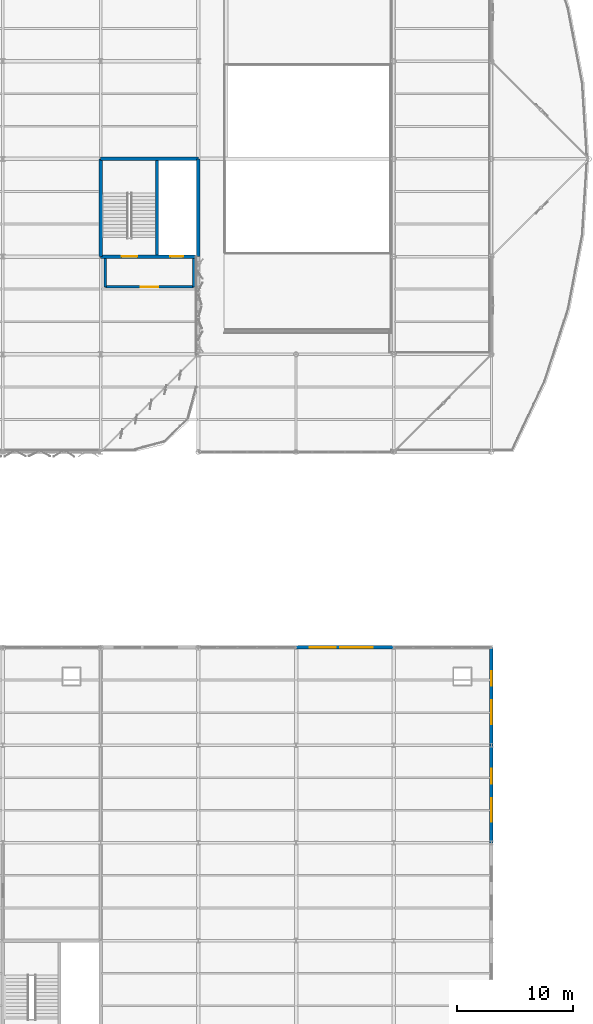
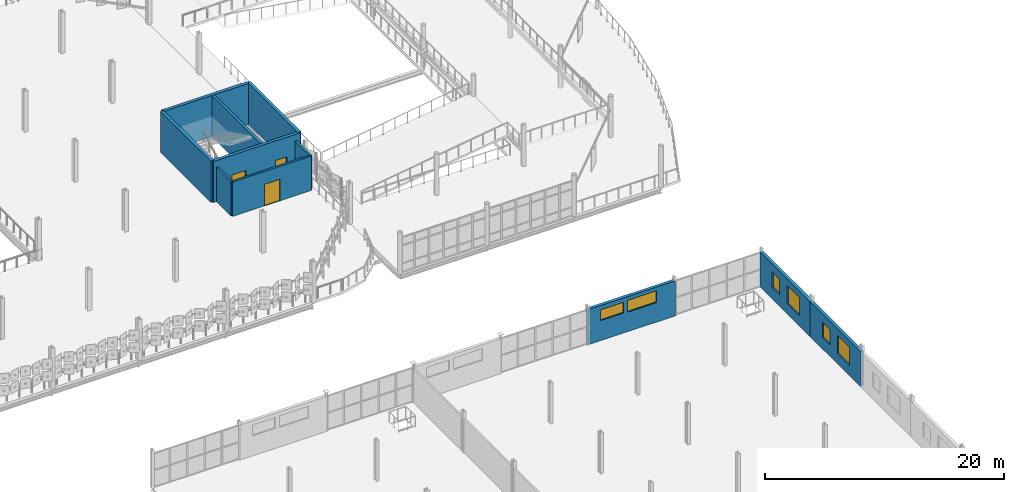
# One storey, part 137 of 163: 11 walls, 6 windows, 3 doors, 9 openings.
"""IFC4 building model written with IfcOpenShell, lengths in metres."""

from ifc_helpers import new_model, si_unit, direction, frame, frame_2d, origin, place, context, subcontext, project, spatial, rectangle, extrude, material, layer, layer_set, type_object, element, fill, save


model = new_model("IFC4")

# Units and contexts
model_context = context("Model", 3, precision=1e-05, world=origin(), true_north=direction((0.0, 1.0)))
body_context = subcontext(model_context, "Body", "Model", "MODEL_VIEW")
ifc_project = project(units=[si_unit("LENGTHUNIT", "METRE"), si_unit("AREAUNIT", "SQUARE_METRE"), si_unit("VOLUMEUNIT", "CUBIC_METRE"), si_unit("PLANEANGLEUNIT", "RADIAN"), si_unit("MASSUNIT", "GRAM", prefix="KILO")], contexts=[model_context])

# Site, building, storey
site_placement = place(None, origin())
site = spatial("IfcSite", under=ifc_project, at=site_placement, CompositionType="ELEMENT")
building_placement = place(site_placement, origin())
building = spatial("IfcBuilding", under=site, at=building_placement, Name="Qalvenar Corner Mobility Hub", CompositionType="ELEMENT")
storey_placement = place(building_placement, frame((0.0, 0.0, 4.800048828125)))
storey = spatial("IfcBuildingStorey", under=building, at=storey_placement, Name="L01", CompositionType="ELEMENT", Elevation=4.800048828125)

# Wall
ifc_material_1 = material(Name="Concrete C40/50", Category="concrete")
ifc_layer_1 = layer(ifc_material_1, 0.25)
ifc_layer_set_1 = layer_set([ifc_layer_1], Name="Concrete C40/50")
wall_type_1 = type_object("IfcWallType", Name="WL-CORE250", PredefinedType="SHEAR", material=ifc_layer_set_1)
wall_1_placement = place(storey_placement, frame((139.25, 84.14990234375, 0.0), z_axis=(0.0, 0.0, 1.0), x_axis=(0.0, 1.0, 0.0)))
element("IfcWall", 1, at=wall_1_placement, inside=storey, type_object=wall_type_1, Name="Core Divider Wall C4-L01", PredefinedType="SHEAR", context=body_context, shape_type="SweptSolid", body=[
    extrude(rectangle(XDim=8.10009765625, YDim=0.25, at=frame_2d((4.050048828125, 0.0))), origin(), (0.0, 0.0, 1.0), 4.199951171875),
])

# Wall, openings, doors
ifc_layer_2 = layer(ifc_material_1, 0.300048828125)
ifc_layer_set_2 = layer_set([ifc_layer_2], Name="Concrete C40/50")
wall_type_2 = type_object("IfcWallType", Name="WL-CORE300", PredefinedType="SHEAR", material=ifc_layer_set_2)
wall_2_placement = place(storey_placement, frame((134.39990234375, 84.0, 0.0), z_axis=(0.0, 0.0, 1.0), x_axis=(1.0, 0.0, 0.0)))
wall_2 = element("IfcWall", 2, at=wall_2_placement, inside=storey, type_object=wall_type_2, Name="Core Shear Wall C4-L01-S", PredefinedType="SHEAR", context=body_context, shape_type="SweptSolid", body=[
    extrude(rectangle(XDim=8.400146484375, YDim=0.300048828125, at=frame_2d((4.2001953125, 0.0))), origin(), (0.0, 0.0, 1.0), 4.199951171875),
])
opening_1_placement = place(wall_2_placement, frame((1.800048828125, 0.0, 0.0)))
opening_1 = element("IfcOpeningElement", 3, at=opening_1_placement, cuts=wall_2, Name="Opening DR-127", PredefinedType="OPENING", context=body_context, shape_type="SweptSolid", body=[
    extrude(rectangle(XDim=1.35009765625, YDim=2.199951171875, at=frame_2d((0.675048828125, 1.10009765625))), frame((0.0, 0.16015625, 0.0), z_axis=(0.0, -1.0, 0.0), x_axis=(1.0, 0.0, 0.0)), (0.0, 0.0, 1.0), 0.320068359375),
])
opening_2_placement = place(wall_2_placement, frame((6.0, 0.0, 0.0)))
opening_2 = element("IfcOpeningElement", 4, at=opening_2_placement, cuts=wall_2, Name="Opening DR-128", PredefinedType="OPENING", context=body_context, shape_type="SweptSolid", body=[
    extrude(rectangle(XDim=1.10009765625, YDim=2.199951171875, at=frame_2d((0.550048828125, 1.10009765625))), frame((0.0, 0.16015625, 0.0), z_axis=(0.0, -1.0, 0.0), x_axis=(1.0, 0.0, 0.0)), (0.0, 0.0, 1.0), 0.320068359375),
])
ifc_material_2 = material(Name="Stainless Steel Lift Landing Door", Category="steel")
door_type_1 = type_object("IfcDoorType", Name="DR-LIFT-110", OperationType="SLIDING_TO_LEFT", PredefinedType="DOOR", material=ifc_material_2)
door_1_placement = place(opening_2_placement, origin())
door_1 = element("IfcDoor", 5, at=door_1_placement, inside=storey, type_object=door_type_1, Name="DR-128 Lift Landing Door LP4-L01", OperationType="SLIDING_TO_LEFT", OverallHeight=2.199951171875, OverallWidth=1.10009765625, PredefinedType="DOOR", context=body_context, shape_type="SweptSolid", body=[
    extrude(rectangle(XDim=1.10009765625, YDim=2.199951171875, at=frame_2d((0.550048828125, 1.10009765625))), frame((0.0, 0.02490234375, 0.0), z_axis=(0.0, -1.0, 0.0), x_axis=(1.0, 0.0, 0.0)), (0.0, 0.0, 1.0), 0.050048828125),
])
fill(opening_2, door_1)
ifc_material_3 = material(Name="Fire-Rated Steel Stair Door FD90", Category="steel")
door_type_2 = type_object("IfcDoorType", Name="DR-STAIR-135", OperationType="NOTDEFINED", PredefinedType="DOOR", material=ifc_material_3)
door_2_placement = place(opening_1_placement, origin())
door_2 = element("IfcDoor", 6, at=door_2_placement, inside=storey, type_object=door_type_2, Name="DR-127 Stair Fire Door ST4-L01", OperationType="SINGLE_SWING_LEFT", OverallHeight=2.199951171875, OverallWidth=1.35009765625, PredefinedType="DOOR", context=body_context, shape_type="SweptSolid", body=[
    extrude(rectangle(XDim=1.35009765625, YDim=2.199951171875, at=frame_2d((0.675048828125, 1.10009765625))), frame((0.0, 0.02490234375, 0.0), z_axis=(0.0, -1.0, 0.0), x_axis=(1.0, 0.0, 0.0)), (0.0, 0.0, 1.0), 0.050048828125),
])
fill(opening_1, door_2)

# Walls
wall_3_placement = place(storey_placement, frame((142.800048828125, 84.0, 0.0), z_axis=(0.0, 0.0, 1.0), x_axis=(0.0, 1.0, 0.0)))
element("IfcWall", 7, at=wall_3_placement, inside=storey, type_object=wall_type_2, Name="Core Shear Wall C4-L01-E", PredefinedType="SHEAR", context=body_context, shape_type="SweptSolid", body=[
    extrude(rectangle(XDim=8.39990234375, YDim=0.300048828125, at=frame_2d((4.199951171875, 0.0))), origin(), (0.0, 0.0, 1.0), 4.199951171875),
])
wall_4_placement = place(storey_placement, frame((142.800048828125, 92.39990234375, 0.0), z_axis=(0.0, 0.0, 1.0), x_axis=(-1.0, 0.0, 0.0)))
element("IfcWall", 8, at=wall_4_placement, inside=storey, type_object=wall_type_2, Name="Core Shear Wall C4-L01-N", PredefinedType="SHEAR", context=body_context, shape_type="SweptSolid", body=[
    extrude(rectangle(XDim=8.400146484375, YDim=0.300048828125, at=frame_2d((4.2001953125, 0.0))), origin(), (0.0, 0.0, 1.0), 4.199951171875),
])
wall_5_placement = place(storey_placement, frame((134.39990234375, 92.39990234375, 0.0), z_axis=(0.0, 0.0, 1.0), x_axis=(0.0, -1.0, 0.0)))
element("IfcWall", 9, at=wall_5_placement, inside=storey, type_object=wall_type_2, Name="Core Shear Wall C4-L01-W", PredefinedType="SHEAR", context=body_context, shape_type="SweptSolid", body=[
    extrude(rectangle(XDim=8.39990234375, YDim=0.300048828125, at=frame_2d((4.199951171875, 0.0))), origin(), (0.0, 0.0, 1.0), 4.199951171875),
])

# Wall, openings, windows
ifc_material_4 = material(Name="Lahori Fired Clay Brick Masonry", Category="masonry")
ifc_layer_3 = layer(ifc_material_4, 0.300048828125)
ifc_layer_set_3 = layer_set([ifc_layer_3], Name="Lahori Fired Clay Brick Masonry")
wall_type_3 = type_object("IfcWallType", Name="WL-EXT-BRK300", PredefinedType="STANDARD", material=ifc_layer_set_3)
wall_6_placement = place(storey_placement, frame((168.0, 33.60009765625, 0.0), z_axis=(0.0, 0.0, 1.0), x_axis=(0.0, 1.0, 0.0)))
wall_6 = element("IfcWall", 10, at=wall_6_placement, inside=storey, type_object=wall_type_3, Name="Exterior Facade Wall EW-V6-L01-E4", PredefinedType="STANDARD", context=body_context, shape_type="SweptSolid", body=[
    extrude(rectangle(XDim=8.39990234375, YDim=0.300048828125, at=frame_2d((4.199951171875, 0.0))), origin(), (0.0, 0.0, 1.0), 3.579833984375),
])
opening_3_placement = place(wall_6_placement, frame((1.800048828125, 0.0, 1.050048828125)))
opening_3 = element("IfcOpeningElement", 11, at=opening_3_placement, cuts=wall_6, Name="Opening W-37", PredefinedType="OPENING", context=body_context, shape_type="SweptSolid", body=[
    extrude(rectangle(XDim=2.050048828125, YDim=1.85009765625, at=frame_2d((1.02490234375, 0.925048828125))), frame((0.0, 0.16015625, 0.0), z_axis=(0.0, -1.0, 0.0), x_axis=(1.0, 0.0, 0.0)), (0.0, 0.0, 1.0), 0.320068359375),
])
opening_4_placement = place(wall_6_placement, frame((5.10009765625, 0.0, 1.199951171875)))
opening_4 = element("IfcOpeningElement", 12, at=opening_4_placement, cuts=wall_6, Name="Opening W-39", PredefinedType="OPENING", context=body_context, shape_type="SweptSolid", body=[
    extrude(rectangle(XDim=1.25, YDim=1.550048828125, at=frame_2d((0.625, 0.77490234375))), frame((0.0, 0.16015625, 0.0), z_axis=(0.0, -1.0, 0.0), x_axis=(1.0, 0.0, 0.0)), (0.0, 0.0, 1.0), 0.320068359375),
])
ifc_material_5 = material(Name="Solar-Control Double-Glazed Bronze Window", Category="glass")
window_type_1 = type_object("IfcWindowType", Name="WN-WKS-125X155", PartitioningType="SINGLE_PANEL", PredefinedType="WINDOW", material=ifc_material_5)
window_1_placement = place(opening_4_placement, origin())
window_1 = element("IfcWindow", 13, at=window_1_placement, inside=storey, type_object=window_type_1, Name="Facade Window EW-V6-L01-E4-W2", OverallHeight=1.550048828125, OverallWidth=1.25, PartitioningType="SINGLE_PANEL", PredefinedType="WINDOW", context=body_context, shape_type="SweptSolid", body=[
    extrude(rectangle(XDim=1.25, YDim=1.550048828125, at=frame_2d((0.625, 0.77490234375))), frame((0.0, 0.030029296875, 0.0), z_axis=(0.0, -1.0, 0.0), x_axis=(1.0, 0.0, 0.0)), (0.0, 0.0, 1.0), 0.06005859375),
])
fill(opening_4, window_1)
window_type_2 = type_object("IfcWindowType", Name="WN-WKS-205X185", PartitioningType="DOUBLE_PANEL_VERTICAL", PredefinedType="WINDOW", material=ifc_material_5)
window_2_placement = place(opening_3_placement, origin())
window_2 = element("IfcWindow", 14, at=window_2_placement, inside=storey, type_object=window_type_2, Name="Facade Window EW-V6-L01-E4-W1", OverallHeight=1.85009765625, OverallWidth=2.050048828125, PartitioningType="SINGLE_PANEL", PredefinedType="WINDOW", context=body_context, shape_type="SweptSolid", body=[
    extrude(rectangle(XDim=2.050048828125, YDim=1.85009765625, at=frame_2d((1.02490234375, 0.925048828125))), frame((0.0, 0.030029296875, 0.0), z_axis=(0.0, -1.0, 0.0), x_axis=(1.0, 0.0, 0.0)), (0.0, 0.0, 1.0), 0.06005859375),
])
fill(opening_3, window_2)

wall_7_placement = place(storey_placement, frame((168.0, 42.0, 0.0), z_axis=(0.0, 0.0, 1.0), x_axis=(0.0, 1.0, 0.0)))
wall_7 = element("IfcWall", 15, at=wall_7_placement, inside=storey, type_object=wall_type_3, Name="Exterior Facade Wall EW-V6-L01-E5", PredefinedType="STANDARD", context=body_context, shape_type="SweptSolid", body=[
    extrude(rectangle(XDim=8.39990234375, YDim=0.300048828125, at=frame_2d((4.199951171875, 0.0))), origin(), (0.0, 0.0, 1.0), 3.579833984375),
])
opening_5_placement = place(wall_7_placement, frame((1.800048828125, 0.0, 1.050048828125)))
opening_5 = element("IfcOpeningElement", 16, at=opening_5_placement, cuts=wall_7, Name="Opening W-37", PredefinedType="OPENING", context=body_context, shape_type="SweptSolid", body=[
    extrude(rectangle(XDim=2.050048828125, YDim=1.85009765625, at=frame_2d((1.02490234375, 0.925048828125))), frame((0.0, 0.16015625, 0.0), z_axis=(0.0, -1.0, 0.0), x_axis=(1.0, 0.0, 0.0)), (0.0, 0.0, 1.0), 0.320068359375),
])
opening_6_placement = place(wall_7_placement, frame((5.10009765625, 0.0, 1.199951171875)))
opening_6 = element("IfcOpeningElement", 17, at=opening_6_placement, cuts=wall_7, Name="Opening W-39", PredefinedType="OPENING", context=body_context, shape_type="SweptSolid", body=[
    extrude(rectangle(XDim=1.25, YDim=1.550048828125, at=frame_2d((0.625, 0.77490234375))), frame((0.0, 0.16015625, 0.0), z_axis=(0.0, -1.0, 0.0), x_axis=(1.0, 0.0, 0.0)), (0.0, 0.0, 1.0), 0.320068359375),
])
window_3_placement = place(opening_6_placement, origin())
window_3 = element("IfcWindow", 18, at=window_3_placement, inside=storey, type_object=window_type_1, Name="Facade Window EW-V6-L01-E5-W2", OverallHeight=1.550048828125, OverallWidth=1.25, PartitioningType="SINGLE_PANEL", PredefinedType="WINDOW", context=body_context, shape_type="SweptSolid", body=[
    extrude(rectangle(XDim=1.25, YDim=1.550048828125, at=frame_2d((0.625, 0.77490234375))), frame((0.0, 0.030029296875, 0.0), z_axis=(0.0, -1.0, 0.0), x_axis=(1.0, 0.0, 0.0)), (0.0, 0.0, 1.0), 0.06005859375),
])
fill(opening_6, window_3)
window_4_placement = place(opening_5_placement, origin())
window_4 = element("IfcWindow", 19, at=window_4_placement, inside=storey, type_object=window_type_2, Name="Facade Window EW-V6-L01-E5-W1", OverallHeight=1.85009765625, OverallWidth=2.050048828125, PartitioningType="SINGLE_PANEL", PredefinedType="WINDOW", context=body_context, shape_type="SweptSolid", body=[
    extrude(rectangle(XDim=2.050048828125, YDim=1.85009765625, at=frame_2d((1.02490234375, 0.925048828125))), frame((0.0, 0.030029296875, 0.0), z_axis=(0.0, -1.0, 0.0), x_axis=(1.0, 0.0, 0.0)), (0.0, 0.0, 1.0), 0.06005859375),
])
fill(opening_5, window_4)

wall_8_placement = place(storey_placement, frame((159.60009765625, 50.39990234375, 0.0), z_axis=(0.0, 0.0, 1.0), x_axis=(-1.0, 0.0, 0.0)))
wall_8 = element("IfcWall", 20, at=wall_8_placement, inside=storey, type_object=wall_type_3, Name="Exterior Facade Wall EW-V6-L01-N5", PredefinedType="STANDARD", context=body_context, shape_type="SweptSolid", body=[
    extrude(rectangle(XDim=8.400146484375, YDim=0.300048828125, at=frame_2d((4.2001953125, 0.0))), origin(), (0.0, 0.0, 1.0), 3.579833984375),
])
opening_7_placement = place(wall_8_placement, frame((1.800048828125, 0.0, 2.0)))
opening_7 = element("IfcOpeningElement", 21, at=opening_7_placement, cuts=wall_8, Name="Opening W-20", PredefinedType="OPENING", context=body_context, shape_type="SweptSolid", body=[
    extrude(rectangle(XDim=2.800048828125, YDim=1.199951171875, at=frame_2d((1.39990234375, 0.60009765625))), frame((0.0, 0.16015625, 0.0), z_axis=(0.0, -1.0, 0.0), x_axis=(1.0, 0.0, 0.0)), (0.0, 0.0, 1.0), 0.320068359375),
])
opening_8_placement = place(wall_8_placement, frame((5.0, 0.0, 2.050048828125)))
opening_8 = element("IfcOpeningElement", 22, at=opening_8_placement, cuts=wall_8, Name="Opening W-21", PredefinedType="OPENING", context=body_context, shape_type="SweptSolid", body=[
    extrude(rectangle(XDim=2.199951171875, YDim=1.10009765625, at=frame_2d((1.10009765625, 0.550048828125))), frame((0.0, 0.16015625, 0.0), z_axis=(0.0, -1.0, 0.0), x_axis=(1.0, 0.0, 0.0)), (0.0, 0.0, 1.0), 0.320068359375),
])
window_type_3 = type_object("IfcWindowType", Name="WN-CLR-220X110", PartitioningType="DOUBLE_PANEL_HORIZONTAL", PredefinedType="WINDOW", material=ifc_material_5)
window_5_placement = place(opening_8_placement, origin())
window_5 = element("IfcWindow", 23, at=window_5_placement, inside=storey, type_object=window_type_3, Name="Facade Window EW-V6-L01-N5-W2", OverallHeight=1.10009765625, OverallWidth=2.199951171875, PartitioningType="SINGLE_PANEL", PredefinedType="WINDOW", context=body_context, shape_type="SweptSolid", body=[
    extrude(rectangle(XDim=2.199951171875, YDim=1.10009765625, at=frame_2d((1.10009765625, 0.550048828125))), frame((0.0, 0.030029296875, 0.0), z_axis=(0.0, -1.0, 0.0), x_axis=(1.0, 0.0, 0.0)), (0.0, 0.0, 1.0), 0.06005859375),
])
fill(opening_8, window_5)
window_type_4 = type_object("IfcWindowType", Name="WN-CLR-280X120", PartitioningType="TRIPLE_PANEL_VERTICAL", PredefinedType="WINDOW", material=ifc_material_5)
window_6_placement = place(opening_7_placement, origin())
window_6 = element("IfcWindow", 24, at=window_6_placement, inside=storey, type_object=window_type_4, Name="Facade Window EW-V6-L01-N5-W1", OverallHeight=1.199951171875, OverallWidth=2.800048828125, PartitioningType="SINGLE_PANEL", PredefinedType="WINDOW", context=body_context, shape_type="SweptSolid", body=[
    extrude(rectangle(XDim=2.800048828125, YDim=1.199951171875, at=frame_2d((1.39990234375, 0.60009765625))), frame((0.0, 0.030029296875, 0.0), z_axis=(0.0, -1.0, 0.0), x_axis=(1.0, 0.0, 0.0)), (0.0, 0.0, 1.0), 0.06005859375),
])
fill(opening_7, window_6)

# Walls
ifc_material_6 = material(Name="Concrete Blockwork Masonry", Category="masonry")
ifc_layer_4 = layer(ifc_material_6, 0.199951171875)
ifc_layer_set_4 = layer_set([ifc_layer_4], Name="Concrete Blockwork Masonry")
wall_type_4 = type_object("IfcWallType", Name="WL-LOBBY200", PredefinedType="PARTITIONING", material=ifc_layer_set_4)
for number, where, z_axis, x_axis, name in (
    (25, (134.800048828125, 81.39990234375, 0.0), (0.0, 0.0, 1.0), (0.0, 1.0, 0.0), "Interior Partition WL-LOB-C4-L01-W"),
    (26, (142.39990234375, 81.39990234375, 0.0), (0.0, 0.0, 1.0), (0.0, 1.0, 0.0), "Interior Partition WL-LOB-C4-L01-E"),
):
    element("IfcWall", number, at=place(storey_placement, frame(where, z_axis=z_axis, x_axis=x_axis)), inside=storey, type_object=wall_type_4, Name=name, PredefinedType="PARTITIONING", context=body_context, shape_type="SweptSolid", body=[
        extrude(rectangle(XDim=2.4501953125, YDim=0.199951171875, at=frame_2d((1.22509765625, 0.0))), origin(), (0.0, 0.0, 1.0), 3.52001953125),
    ])

# Wall, opening, door
wall_9_placement = place(storey_placement, frame((134.800048828125, 81.39990234375, 0.0), z_axis=(0.0, 0.0, 1.0), x_axis=(1.0, 0.0, 0.0)))
wall_9 = element("IfcWall", 27, at=wall_9_placement, inside=storey, type_object=wall_type_4, Name="Interior Partition WL-LOB-C4-L01-S", PredefinedType="PARTITIONING", context=body_context, shape_type="SweptSolid", body=[
    extrude(rectangle(XDim=7.599853515625, YDim=0.199951171875, at=frame_2d((3.7998046875, 0.0))), origin(), (0.0, 0.0, 1.0), 3.52001953125),
])
opening_9_placement = place(wall_9_placement, frame((3.050048828125, 0.0, 0.0)))
opening_9 = element("IfcOpeningElement", 28, at=opening_9_placement, cuts=wall_9, Name="Opening DR-129", PredefinedType="OPENING", context=body_context, shape_type="SweptSolid", body=[
    extrude(rectangle(XDim=1.5, YDim=2.199951171875, at=frame_2d((0.75, 1.10009765625))), frame((0.0, 0.10986328125, 0.0), z_axis=(0.0, -1.0, 0.0), x_axis=(1.0, 0.0, 0.0)), (0.0, 0.0, 1.0), 0.219970703125),
])
ifc_material_7 = material(Name="Firefighting Lobby Smoke-Control Door FD60", Category="steel")
door_type_3 = type_object("IfcDoorType", Name="DR-FFLOB-150", OperationType="DOUBLE_DOOR_SINGLE_SWING", PredefinedType="DOOR", material=ifc_material_7)
door_3_placement = place(opening_9_placement, origin())
door_3 = element("IfcDoor", 29, at=door_3_placement, inside=storey, type_object=door_type_3, Name="DR-129 Lift Lobby Smoke Door C4-L01", OperationType="DOUBLE_DOOR_SINGLE_SWING", OverallHeight=2.199951171875, OverallWidth=1.5, PredefinedType="DOOR", context=body_context, shape_type="SweptSolid", body=[
    extrude(rectangle(XDim=1.5, YDim=2.199951171875, at=frame_2d((0.75, 1.10009765625))), frame((0.0, 0.02490234375, 0.0), z_axis=(0.0, -1.0, 0.0), x_axis=(1.0, 0.0, 0.0)), (0.0, 0.0, 1.0), 0.050048828125),
])
fill(opening_9, door_3)

save(model, "model.ifc")
